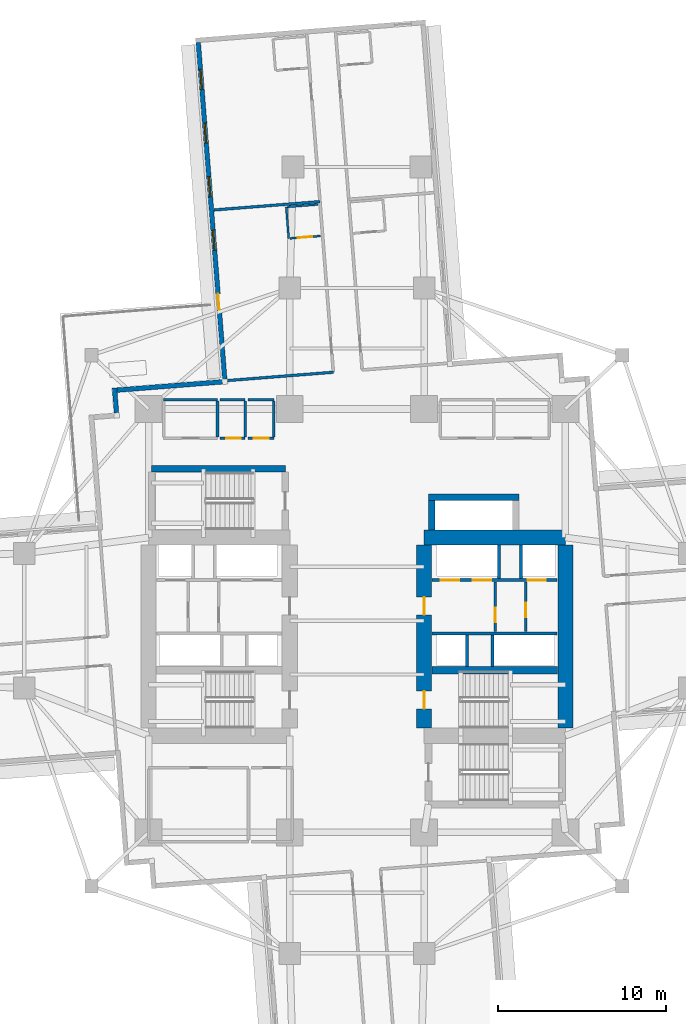
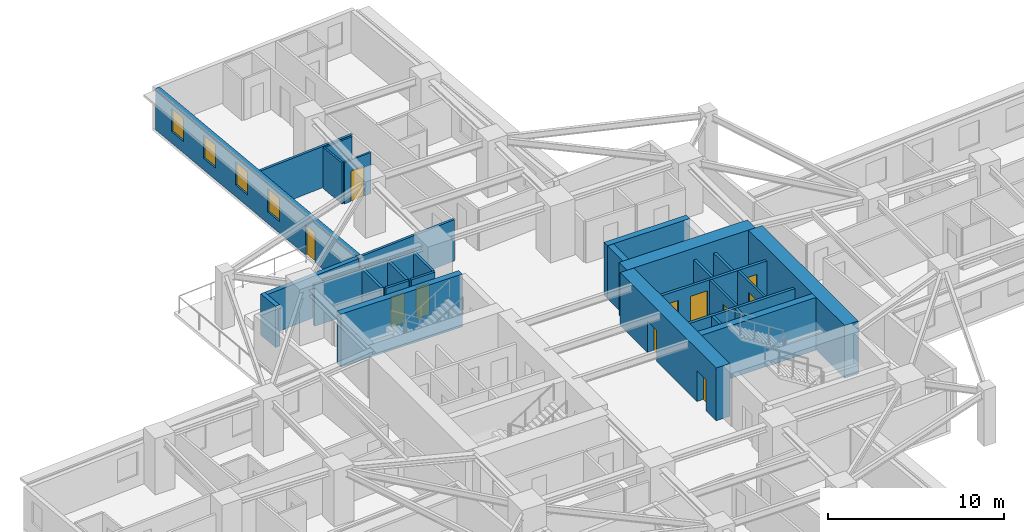
# One storey, part 6 of 13: 31 walls, 11 doors, 4 windows, 15 openings.
"""IFC4 building model written with IfcOpenShell, lengths in metres."""

from ifc_helpers import new_model, si_unit, direction, frame, frame_2d, origin, place, context, subcontext, project, spatial, rectangle, extrude, material, layer, layer_set, type_object, element, fill, save


model = new_model("IFC4")

# Units and contexts
model_context = context("Model", 3, precision=1e-05, world=origin(), true_north=direction((0.0, 1.0)))
body_context = subcontext(model_context, "Body", "Model", "MODEL_VIEW")
ifc_project = project(units=[si_unit("LENGTHUNIT", "METRE"), si_unit("AREAUNIT", "SQUARE_METRE"), si_unit("VOLUMEUNIT", "CUBIC_METRE"), si_unit("PLANEANGLEUNIT", "RADIAN"), si_unit("MASSUNIT", "GRAM", prefix="KILO")], contexts=[model_context])

# Site, building, storey
site_placement = place(None, origin())
site = spatial("IfcSite", under=ifc_project, at=site_placement, CompositionType="ELEMENT")
building_placement = place(site_placement, origin())
building = spatial("IfcBuilding", under=site, at=building_placement, Name="Qingluan Cross Belvedere", CompositionType="ELEMENT")
storey_placement = place(building_placement, frame((0.0, 0.0, 43.199951171875)))
storey = spatial("IfcBuildingStorey", under=building, at=storey_placement, Name="L11", CompositionType="ELEMENT", Elevation=43.199951171875)

# Walls
ifc_material_1 = material(Name="Concrete C50", Category="concrete")
ifc_layer_1 = layer(ifc_material_1, 0.449951171875, Name="CoreShearWall_450")
ifc_layer_set_1 = layer_set([ifc_layer_1], Name="Concrete C50")
wall_type_1 = type_object("IfcWallType", Name="CoreShearWall_450", PredefinedType="SHEAR", material=ifc_layer_set_1)
wall_1_placement = place(storey_placement, frame((4.455078125, -2.9599609375, 0.0), z_axis=(0.0, 0.0, 1.0), x_axis=(1.0, 0.0, 0.0)))
element("IfcWall", 1, at=wall_1_placement, inside=storey, type_object=wall_type_1, Name="Split core E shear wall L11-M", PredefinedType="SHEAR", context=body_context, shape_type="SweptSolid", body=[
    extrude(rectangle(XDim=7.489990234375, YDim=0.449951171875, at=frame_2d((3.7451171875, 0.0))), origin(), (0.0, 0.0, 1.0), 3.650146484375),
])
wall_2_placement = place(storey_placement, frame((-12.219970703125, 9.0400390625, 0.0), z_axis=(0.0, 0.0, 1.0), x_axis=(1.0, 0.0, 0.0)))
element("IfcWall", 2, at=wall_2_placement, inside=storey, type_object=wall_type_1, Name="Stair ST3 structural wall N L11", PredefinedType="SHEAR", context=body_context, shape_type="SweptSolid", body=[
    extrude(rectangle(XDim=7.9599609375, YDim=0.39990234375, at=frame_2d((3.97998046875, 0.0))), origin(), (0.0, 0.0, 1.0), 3.650146484375),
])
wall_3_placement = place(storey_placement, frame((4.449951171875, 5.405029296875, 0.0), z_axis=(0.0, 0.0, 1.0), x_axis=(0.0, 1.0, 0.0)))
element("IfcWall", 3, at=wall_3_placement, inside=storey, type_object=wall_type_1, Name="Express shuttle core wall L11-W", PredefinedType="SHEAR", context=body_context, shape_type="SweptSolid", body=[
    extrude(rectangle(XDim=1.73486328125, YDim=0.39990234375, at=frame_2d((0.867431640625, 0.0))), origin(), (0.0, 0.0, 1.0), 3.650146484375),
])
wall_4_placement = place(storey_placement, frame((4.25, 7.35009765625, 0.0), z_axis=(0.0, 0.0, 1.0), x_axis=(1.0, 0.0, 0.0)))
element("IfcWall", 4, at=wall_4_placement, inside=storey, type_object=wall_type_1, Name="Express shuttle core wall L11-N", PredefinedType="SHEAR", context=body_context, shape_type="SweptSolid", body=[
    extrude(rectangle(XDim=5.39990234375, YDim=0.39990234375, at=frame_2d((2.699951171875, 0.0))), origin(), (0.0, 0.0, 1.0), 3.650146484375),
])
ifc_material_2 = material(Name="Concrete C70", Category="concrete")
ifc_layer_2 = layer(ifc_material_2, 0.89990234375, Name="CoreShearWall_900")
ifc_layer_set_2 = layer_set([ifc_layer_2], Name="Concrete C70")
wall_type_2 = type_object("IfcWallType", Name="CoreShearWall_900", PredefinedType="SHEAR", material=ifc_layer_set_2)
wall_5_placement = place(storey_placement, frame((4.0, 4.949951171875, 0.0), z_axis=(0.0, 0.0, 1.0), x_axis=(1.0, 0.0, 0.0)))
element("IfcWall", 5, at=wall_5_placement, inside=storey, type_object=wall_type_2, Name="Split core E shear wall L11-N", PredefinedType="SHEAR", context=body_context, shape_type="SweptSolid", body=[
    extrude(rectangle(XDim=8.39990234375, YDim=0.89990234375, at=frame_2d((4.199951171875, 0.0))), origin(), (0.0, 0.0, 1.0), 3.650146484375),
])

# Wall, openings, doors
wall_6_placement = place(storey_placement, frame((4.0, -6.39501953125, 0.0), z_axis=(0.0, 0.0, 1.0), x_axis=(0.0, 1.0, 0.0)))
wall_6 = element("IfcWall", 6, at=wall_6_placement, inside=storey, type_object=wall_type_2, Name="Split core E shear wall L11-W", PredefinedType="SHEAR", context=body_context, shape_type="SweptSolid", body=[
    extrude(rectangle(XDim=10.89013671875, YDim=0.89990234375, at=frame_2d((5.445068359375, 0.0))), origin(), (0.0, 0.0, 1.0), 3.650146484375),
])
opening_1_placement = place(wall_6_placement, frame((1.14501953125, 0.0, 0.0)))
opening_1 = element("IfcOpeningElement", 7, at=opening_1_placement, cuts=wall_6, Name="Opening FD-B11", PredefinedType="OPENING", context=body_context, shape_type="SweptSolid", body=[
    extrude(rectangle(XDim=1.050048828125, YDim=2.14990234375, at=frame_2d((0.52490234375, 1.074951171875))), frame((0.0, 0.4599609375, 0.0), z_axis=(0.0, -1.0, 0.0), x_axis=(1.0, 0.0, 0.0)), (0.0, 0.0, 1.0), 0.919921875),
])
opening_2_placement = place(wall_6_placement, frame((6.7451171875, 0.0, 0.0)))
opening_2 = element("IfcOpeningElement", 8, at=opening_2_placement, cuts=wall_6, Name="Opening FD-B11", PredefinedType="OPENING", context=body_context, shape_type="SweptSolid", body=[
    extrude(rectangle(XDim=1.050048828125, YDim=2.14990234375, at=frame_2d((0.52490234375, 1.074951171875))), frame((0.0, 0.4599609375, 0.0), z_axis=(0.0, -1.0, 0.0), x_axis=(1.0, 0.0, 0.0)), (0.0, 0.0, 1.0), 0.919921875),
])
ifc_material_3 = material(Name="Steel Class B smoke-seal fire door", Category="steel")
door_type_1 = type_object("IfcDoorType", Name="StairLobbyFireDoor_FDB", OperationType="NOTDEFINED", PredefinedType="DOOR", material=ifc_material_3)
door_1_placement = place(opening_1_placement, origin())
door_1 = element("IfcDoor", 9, at=door_1_placement, inside=storey, type_object=door_type_1, Name="Smoke-proof stair ST2 fire door L11", OperationType="SINGLE_SWING_LEFT", OverallHeight=2.14990234375, OverallWidth=1.050048828125, PredefinedType="DOOR", context=body_context, shape_type="SweptSolid", body=[
    extrude(rectangle(XDim=1.050048828125, YDim=2.14990234375, at=frame_2d((0.52490234375, 1.074951171875))), frame((0.0, 0.02490234375, 0.0), z_axis=(0.0, -1.0, 0.0), x_axis=(1.0, 0.0, 0.0)), (0.0, 0.0, 1.0), 0.050048828125),
])
fill(opening_1, door_1)
door_2_placement = place(opening_2_placement, origin())
door_2 = element("IfcDoor", 10, at=door_2_placement, inside=storey, type_object=door_type_1, Name="Firefighting lobby East fire door L11", OperationType="SINGLE_SWING_LEFT", OverallHeight=2.14990234375, OverallWidth=1.050048828125, PredefinedType="DOOR", context=body_context, shape_type="SweptSolid", body=[
    extrude(rectangle(XDim=1.050048828125, YDim=2.14990234375, at=frame_2d((0.52490234375, 1.074951171875))), frame((0.0, 0.02490234375, 0.0), z_axis=(0.0, -1.0, 0.0), x_axis=(1.0, 0.0, 0.0)), (0.0, 0.0, 1.0), 0.050048828125),
])
fill(opening_2, door_2)

# Wall
wall_7_placement = place(storey_placement, frame((12.39990234375, -6.39501953125, 0.0), z_axis=(0.0, 0.0, 1.0), x_axis=(0.0, 1.0, 0.0)))
element("IfcWall", 11, at=wall_7_placement, inside=storey, type_object=wall_type_2, Name="Split core E shear wall L11-E", PredefinedType="SHEAR", context=body_context, shape_type="SweptSolid", body=[
    extrude(rectangle(XDim=10.89013671875, YDim=0.89990234375, at=frame_2d((5.445068359375, 0.0))), origin(), (0.0, 0.0, 1.0), 3.650146484375),
])

# Wall, opening, door
ifc_material_4 = material(Name="Gypsum plasterboard on steel stud acoustic partition", Category="steel")
ifc_layer_3 = layer(ifc_material_4, 0.159912109375, Name="CorridorPartition_160")
ifc_layer_set_3 = layer_set([ifc_layer_3], Name="Gypsum plasterboard on steel stud acoustic partition")
wall_type_3 = type_object("IfcWallType", Name="CorridorPartition_160", PredefinedType="PARTITIONING", material=ifc_layer_set_3)
wall_8_placement = place(storey_placement, frame((10.050048828125, -0.652099609375, 0.0), z_axis=(0.0, 0.0, 1.0), x_axis=(0.0, 1.0, 0.0)))
wall_8 = element("IfcWall", 12, at=wall_8_placement, inside=storey, type_object=wall_type_3, Name="Partition L11:ev", PredefinedType="PARTITIONING", context=body_context, shape_type="SweptSolid", body=[
    extrude(rectangle(XDim=2.962158203125, YDim=0.139892578125, at=frame_2d((1.48095703125, 0.0))), origin(), (0.0, 0.0, 1.0), 2.85009765625),
])
opening_3_placement = place(wall_8_placement, frame((0.85009765625, 0.0, 0.0)))
opening_3 = element("IfcOpeningElement", 13, at=opening_3_placement, cuts=wall_8, Name="Opening FD-B10", PredefinedType="OPENING", context=body_context, shape_type="SweptSolid", body=[
    extrude(rectangle(XDim=0.8798828125, YDim=2.10009765625, at=frame_2d((0.43994140625, 1.050048828125))), frame((0.0, 0.079833984375, 0.0), z_axis=(0.0, -1.0, 0.0), x_axis=(1.0, 0.0, 0.0)), (0.0, 0.0, 1.0), 0.159912109375),
])
ifc_material_5 = material(Name="Steel Class B service fire door", Category="steel")
door_type_2 = type_object("IfcDoorType", Name="RiserServiceFireDoor_FDB", OperationType="NOTDEFINED", PredefinedType="DOOR", material=ifc_material_5)
door_3_placement = place(opening_3_placement, origin())
door_3 = element("IfcDoor", 14, at=door_3_placement, inside=storey, type_object=door_type_2, Name="Service closet inner door L11", OperationType="SINGLE_SWING_LEFT", OverallHeight=2.10009765625, OverallWidth=0.8798828125, PredefinedType="DOOR", context=body_context, shape_type="SweptSolid", body=[
    extrude(rectangle(XDim=0.8798828125, YDim=2.10009765625, at=frame_2d((0.43994140625, 1.050048828125))), frame((0.0, 0.02490234375, 0.0), z_axis=(0.0, -1.0, 0.0), x_axis=(1.0, 0.0, 0.0)), (0.0, 0.0, 1.0), 0.050048828125),
])
fill(opening_3, door_3)

# Walls
wall_9_placement = place(storey_placement, frame((-11.5, 13.14990234375, 0.0), z_axis=(0.0, 0.0, 1.0), x_axis=(1.0, 0.0, 0.0)))
element("IfcWall", 15, at=wall_9_placement, inside=storey, type_object=wall_type_3, Name="Partition L11:q_nw_occ:N", PredefinedType="PARTITIONING", context=body_context, shape_type="SweptSolid", body=[
    extrude(rectangle(XDim=3.199951171875, YDim=0.159912109375, at=frame_2d((1.60009765625, 0.0))), origin(), (0.0, 0.0, 1.0), 2.85009765625),
])
wall_10_placement = place(storey_placement, frame((-8.300048828125, 10.93505859375, 0.0), z_axis=(0.0, 0.0, 1.0), x_axis=(0.0, 1.0, 0.0)))
element("IfcWall", 16, at=wall_10_placement, inside=storey, type_object=wall_type_3, Name="Partition L11:q_nw_occ:E", PredefinedType="PARTITIONING", context=body_context, shape_type="SweptSolid", body=[
    extrude(rectangle(XDim=2.1298828125, YDim=0.159912109375, at=frame_2d((1.06494140625, 0.0))), origin(), (0.0, 0.0, 1.0), 2.85009765625),
])

# Wall, opening, door
wall_11_placement = place(storey_placement, frame((-8.139892578125, 10.85009765625, 0.0), z_axis=(0.0, 0.0, 1.0), x_axis=(1.0, 0.0, 0.0)))
wall_11 = element("IfcWall", 17, at=wall_11_placement, inside=storey, type_object=wall_type_3, Name="Partition L11:hk_linen:S", PredefinedType="PARTITIONING", context=body_context, shape_type="SweptSolid", body=[
    extrude(rectangle(XDim=1.489990234375, YDim=0.159912109375, at=frame_2d((0.7451171875, 0.0))), origin(), (0.0, 0.0, 1.0), 2.85009765625),
])
opening_4_placement = place(wall_11_placement, frame((0.35009765625, 0.0, 0.0)))
opening_4 = element("IfcOpeningElement", 18, at=opening_4_placement, cuts=wall_11, Name="Opening FD-B10", PredefinedType="OPENING", context=body_context, shape_type="SweptSolid", body=[
    extrude(rectangle(XDim=0.8798828125, YDim=2.10009765625, at=frame_2d((0.43994140625, 1.050048828125))), frame((0.0, 0.08984375, 0.0), z_axis=(0.0, -1.0, 0.0), x_axis=(1.0, 0.0, 0.0)), (0.0, 0.0, 1.0), 0.179931640625),
])
door_4_placement = place(opening_4_placement, origin())
door_4 = element("IfcDoor", 19, at=door_4_placement, inside=storey, type_object=door_type_2, Name="Housekeeping and linen store L11 door", OperationType="SINGLE_SWING_LEFT", OverallHeight=2.10009765625, OverallWidth=0.8798828125, PredefinedType="DOOR", context=body_context, shape_type="SweptSolid", body=[
    extrude(rectangle(XDim=0.8798828125, YDim=2.10009765625, at=frame_2d((0.43994140625, 1.050048828125))), frame((0.0, 0.02490234375, 0.0), z_axis=(0.0, -1.0, 0.0), x_axis=(1.0, 0.0, 0.0)), (0.0, 0.0, 1.0), 0.050048828125),
])
fill(opening_4, door_4)

# Walls
wall_12_placement = place(storey_placement, frame((-8.139892578125, 13.14990234375, 0.0), z_axis=(0.0, 0.0, 1.0), x_axis=(1.0, 0.0, 0.0)))
element("IfcWall", 20, at=wall_12_placement, inside=storey, type_object=wall_type_3, Name="Partition L11:hk_linen:N", PredefinedType="PARTITIONING", context=body_context, shape_type="SweptSolid", body=[
    extrude(rectangle(XDim=1.489990234375, YDim=0.159912109375, at=frame_2d((0.7451171875, 0.0))), origin(), (0.0, 0.0, 1.0), 2.85009765625),
])
wall_13_placement = place(storey_placement, frame((-6.64990234375, 10.93505859375, 0.0), z_axis=(0.0, 0.0, 1.0), x_axis=(0.0, 1.0, 0.0)))
element("IfcWall", 21, at=wall_13_placement, inside=storey, type_object=wall_type_3, Name="Partition L11:hk_linen:E", PredefinedType="PARTITIONING", context=body_context, shape_type="SweptSolid", body=[
    extrude(rectangle(XDim=2.1298828125, YDim=0.159912109375, at=frame_2d((1.06494140625, 0.0))), origin(), (0.0, 0.0, 1.0), 2.85009765625),
])

# Wall, opening, door
wall_14_placement = place(storey_placement, frame((-6.489990234375, 10.85009765625, 0.0), z_axis=(0.0, 0.0, 1.0), x_axis=(1.0, 0.0, 0.0)))
wall_14 = element("IfcWall", 22, at=wall_14_placement, inside=storey, type_object=wall_type_3, Name="Partition L11:floor_acc_wc:S", PredefinedType="PARTITIONING", context=body_context, shape_type="SweptSolid", body=[
    extrude(rectangle(XDim=1.5400390625, YDim=0.159912109375, at=frame_2d((0.77001953125, 0.0))), origin(), (0.0, 0.0, 1.0), 2.85009765625),
])
opening_5_placement = place(wall_14_placement, frame((0.35009765625, 0.0, 0.0)))
opening_5 = element("IfcOpeningElement", 23, at=opening_5_placement, cuts=wall_14, Name="Opening BD-08", PredefinedType="OPENING", context=body_context, shape_type="SweptSolid", body=[
    extrude(rectangle(XDim=0.8798828125, YDim=2.14990234375, at=frame_2d((0.43994140625, 1.074951171875))), frame((0.0, 0.08984375, 0.0), z_axis=(0.0, -1.0, 0.0), x_axis=(1.0, 0.0, 0.0)), (0.0, 0.0, 1.0), 0.179931640625),
])
ifc_material_6 = material(Name="Moisture-sealed timber accessible WC door", Category="wood")
door_type_3 = type_object("IfcDoorType", Name="AccessibleWCDoor_880", OperationType="NOTDEFINED", PredefinedType="DOOR", material=ifc_material_6)
door_5_placement = place(opening_5_placement, origin())
door_5 = element("IfcDoor", 24, at=door_5_placement, inside=storey, type_object=door_type_3, Name="Accessible guest washroom L11 door", OperationType="SINGLE_SWING_RIGHT", OverallHeight=2.14990234375, OverallWidth=0.8798828125, PredefinedType="DOOR", context=body_context, shape_type="SweptSolid", body=[
    extrude(rectangle(XDim=0.8798828125, YDim=2.14990234375, at=frame_2d((0.43994140625, 1.074951171875))), frame((0.0, 0.02490234375, 0.0), z_axis=(0.0, -1.0, 0.0), x_axis=(1.0, 0.0, 0.0)), (0.0, 0.0, 1.0), 0.050048828125),
])
fill(opening_5, door_5)

# Walls
wall_15_placement = place(storey_placement, frame((-6.489990234375, 13.14990234375, 0.0), z_axis=(0.0, 0.0, 1.0), x_axis=(1.0, 0.0, 0.0)))
element("IfcWall", 25, at=wall_15_placement, inside=storey, type_object=wall_type_3, Name="Partition L11:floor_acc_wc:N", PredefinedType="PARTITIONING", context=body_context, shape_type="SweptSolid", body=[
    extrude(rectangle(XDim=1.5400390625, YDim=0.159912109375, at=frame_2d((0.77001953125, 0.0))), origin(), (0.0, 0.0, 1.0), 2.85009765625),
])
wall_16_placement = place(storey_placement, frame((-4.949951171875, 10.93505859375, 0.0), z_axis=(0.0, 0.0, 1.0), x_axis=(0.0, 1.0, 0.0)))
element("IfcWall", 26, at=wall_16_placement, inside=storey, type_object=wall_type_3, Name="Partition L11:floor_acc_wc:E", PredefinedType="PARTITIONING", context=body_context, shape_type="SweptSolid", body=[
    extrude(rectangle(XDim=2.1298828125, YDim=0.159912109375, at=frame_2d((1.06494140625, 0.0))), origin(), (0.0, 0.0, 1.0), 2.85009765625),
])
wall_17_placement = place(storey_placement, frame((-1.404296875, 14.785400390625, 0.0), z_axis=(0.0, 0.0, 1.0), x_axis=(-0.996918883175, -0.07843940572, 0.0)))
element("IfcWall", 27, at=wall_17_placement, inside=storey, type_object=wall_type_3, Name="Partition L11:N:s1", PredefinedType="PARTITIONING", context=body_context, shape_type="SweptSolid", body=[
    extrude(rectangle(XDim=6.480224609375, YDim=0.159912109375, at=frame_2d((3.240234375, 0.0))), origin(), (0.0, 0.0, 1.0), 2.85009765625),
])
wall_18_placement = place(storey_placement, frame((-2.20361328125, 24.93896484375, 0.0), z_axis=(0.0, 0.0, 1.0), x_axis=(-0.996917066323, -0.078462493424, 0.0)))
element("IfcWall", 28, at=wall_18_placement, inside=storey, type_object=wall_type_3, Name="Partition L11:N:d1_0", PredefinedType="PARTITIONING", context=body_context, shape_type="SweptSolid", body=[
    extrude(rectangle(XDim=6.33203125, YDim=0.159912109375, at=frame_2d((3.166015625, 0.0))), origin(), (0.0, 0.0, 1.0), 2.85009765625),
])

# Wall, opening, door
ifc_material_7 = material(Name="Moisture-resistant gypsum board lining")
ifc_layer_4 = layer(ifc_material_7, 0.1201171875, Name="EnsuiteWetPartition_120")
ifc_layer_set_4 = layer_set([ifc_layer_4], Name="Moisture-resistant gypsum board lining")
wall_type_4 = type_object("IfcWallType", Name="EnsuiteWetPartition_120", PredefinedType="PARTITIONING", material=ifc_layer_set_4)
wall_19_placement = place(storey_placement, frame((-3.997314453125, 22.75146484375, 0.0), z_axis=(0.0, 0.0, 1.0), x_axis=(0.996915574626, 0.078481444107, 0.0)))
wall_19 = element("IfcWall", 29, at=wall_19_placement, inside=storey, type_object=wall_type_4, Name="Partition L11:N:bs1_0", PredefinedType="PARTITIONING", context=body_context, shape_type="SweptSolid", body=[
    extrude(rectangle(XDim=1.81982421875, YDim=0.1201171875, at=frame_2d((0.909912109375, 0.0))), origin(), (0.0, 0.0, 1.0), 2.85009765625),
])
opening_6_placement = place(wall_19_placement, frame((0.469970703125, 0.0, 0.0)))
opening_6 = element("IfcOpeningElement", 30, at=opening_6_placement, cuts=wall_19, Name="Opening BD-09", PredefinedType="OPENING", context=body_context, shape_type="SweptSolid", body=[
    extrude(rectangle(XDim=0.8798828125, YDim=2.10009765625, at=frame_2d((0.43994140625, 1.050048828125))), frame((0.0, 0.070068359375, 0.0), z_axis=(0.0, -1.0, 0.0), x_axis=(1.0, 0.0, 0.0)), (0.0, 0.0, 1.0), 0.14013671875),
])
ifc_material_8 = material(Name="Moisture-sealed timber en-suite door", Category="wood")
door_type_4 = type_object("IfcDoorType", Name="BathroomDoor_880", OperationType="NOTDEFINED", PredefinedType="DOOR", material=ifc_material_8)
door_6_placement = place(opening_6_placement, origin())
door_6 = element("IfcDoor", 31, at=door_6_placement, inside=storey, type_object=door_type_4, Name="Bathroom door 1111", OperationType="SINGLE_SWING_RIGHT", OverallHeight=2.10009765625, OverallWidth=0.8798828125, PredefinedType="DOOR", context=body_context, shape_type="SweptSolid", body=[
    extrude(rectangle(XDim=0.8798828125, YDim=2.10009765625, at=frame_2d((0.43994140625, 1.050048828125))), frame((0.0, 0.02490234375, 0.0), z_axis=(0.0, -1.0, 0.0), x_axis=(1.0, 0.0, 0.0)), (0.0, 0.0, 1.0), 0.050048828125),
])
fill(opening_6, door_6)

# Walls
wall_20_placement = place(storey_placement, frame((-4.14501953125, 24.625732421875, 0.0), z_axis=(0.0, 0.0, 1.0), x_axis=(0.996916400774, 0.0784709492, 0.0)))
element("IfcWall", 32, at=wall_20_placement, inside=storey, type_object=wall_type_4, Name="Partition L11:N:bw1_0", PredefinedType="PARTITIONING", context=body_context, shape_type="SweptSolid", body=[
    extrude(rectangle(XDim=1.820068359375, YDim=0.1201171875, at=frame_2d((0.91015625, 0.0))), origin(), (0.0, 0.0, 1.0), 2.85009765625),
])
wall_21_placement = place(storey_placement, frame((-4.062255859375, 22.746337890625, 0.0), z_axis=(0.0, 0.0, 1.0), x_axis=(-0.07843418698, 0.996919293781, 0.0)))
element("IfcWall", 33, at=wall_21_placement, inside=storey, type_object=wall_type_4, Name="Partition L11:N:bc1_0", PredefinedType="PARTITIONING", context=body_context, shape_type="SweptSolid", body=[
    extrude(rectangle(XDim=1.880126953125, YDim=0.1201171875, at=frame_2d((0.93994140625, 0.0))), origin(), (0.0, 0.0, 1.0), 2.85009765625),
])

# Wall, openings, windows, door
ifc_material_9 = material(Name="Precast concrete C45", Category="concrete")
ifc_layer_5 = layer(ifc_material_9, 0.280029296875, Name="PrecastFacadeWall_280")
ifc_layer_set_5 = layer_set([ifc_layer_5], Name="Precast concrete C45")
wall_type_5 = type_object("IfcWallType", Name="PrecastFacadeWall_280", PredefinedType="STANDARD", material=ifc_layer_set_5)
wall_22_placement = place(storey_placement, frame((-9.448486328125, 34.40478515625, 0.0), z_axis=(0.0, 0.0, 1.0), x_axis=(0.078452802979, -0.996917828963, 0.0)))
wall_22 = element("IfcWall", 34, at=wall_22_placement, inside=storey, type_object=wall_type_5, Name="Facade wall L11-NB", PredefinedType="STANDARD", context=body_context, shape_type="SweptSolid", body=[
    extrude(rectangle(XDim=20.10009765625, YDim=0.280029296875, at=frame_2d((10.050048828125, 0.0))), origin(), (0.0, 0.0, 1.0), 2.860107421875),
])
opening_7_placement = place(wall_22_placement, frame((1.60009765625, 0.0, 0.800048828125)))
opening_7 = element("IfcOpeningElement", 35, at=opening_7_placement, cuts=wall_22, Name="Opening W-02", PredefinedType="OPENING", context=body_context, shape_type="SweptSolid", body=[
    extrude(rectangle(XDim=1.199951171875, YDim=1.60009765625, at=frame_2d((0.60009765625, 0.800048828125))), frame((0.0, 0.14990234375, 0.0), z_axis=(0.0, -1.0, 0.0), x_axis=(1.0, 0.0, 0.0)), (0.0, 0.0, 1.0), 0.300048828125),
])
opening_8_placement = place(wall_22_placement, frame((4.800048828125, 0.0, 0.800048828125)))
opening_8 = element("IfcOpeningElement", 36, at=opening_8_placement, cuts=wall_22, Name="Opening W-02", PredefinedType="OPENING", context=body_context, shape_type="SweptSolid", body=[
    extrude(rectangle(XDim=1.199951171875, YDim=1.60009765625, at=frame_2d((0.60009765625, 0.800048828125))), frame((0.0, 0.14990234375, 0.0), z_axis=(0.0, -1.0, 0.0), x_axis=(1.0, 0.0, 0.0)), (0.0, 0.0, 1.0), 0.300048828125),
])
opening_9_placement = place(wall_22_placement, frame((8.0, 0.0, 0.800048828125)))
opening_9 = element("IfcOpeningElement", 37, at=opening_9_placement, cuts=wall_22, Name="Opening W-02", PredefinedType="OPENING", context=body_context, shape_type="SweptSolid", body=[
    extrude(rectangle(XDim=1.199951171875, YDim=1.60009765625, at=frame_2d((0.60009765625, 0.800048828125))), frame((0.0, 0.14990234375, 0.0), z_axis=(0.0, -1.0, 0.0), x_axis=(1.0, 0.0, 0.0)), (0.0, 0.0, 1.0), 0.300048828125),
])
opening_10_placement = place(wall_22_placement, frame((11.199951171875, 0.0, 0.800048828125)))
opening_10 = element("IfcOpeningElement", 38, at=opening_10_placement, cuts=wall_22, Name="Opening W-02", PredefinedType="OPENING", context=body_context, shape_type="SweptSolid", body=[
    extrude(rectangle(XDim=1.199951171875, YDim=1.60009765625, at=frame_2d((0.60009765625, 0.800048828125))), frame((0.0, 0.14990234375, 0.0), z_axis=(0.0, -1.0, 0.0), x_axis=(1.0, 0.0, 0.0)), (0.0, 0.0, 1.0), 0.300048828125),
])
opening_11_placement = place(wall_22_placement, frame((15.0, 0.0, 0.0)))
opening_11 = element("IfcOpeningElement", 39, at=opening_11_placement, cuts=wall_22, Name="Opening WD-10", PredefinedType="OPENING", context=body_context, shape_type="SweptSolid", body=[
    extrude(rectangle(XDim=0.9599609375, YDim=2.10009765625, at=frame_2d((0.47998046875, 1.050048828125))), frame((0.0, 0.14990234375, 0.0), z_axis=(0.0, -1.0, 0.0), x_axis=(1.0, 0.0, 0.0)), (0.0, 0.0, 1.0), 0.300048828125),
])
ifc_material_10 = material(Name="Thermally broken triple Low-E glass in aluminium frame", Category="aluminium")
window_type = type_object("IfcWindowType", Name="TriRibbonWin_1200x1600", PartitioningType="SINGLE_PANEL", PredefinedType="WINDOW", material=ifc_material_10)
window_1_placement = place(opening_7_placement, origin())
window_1 = element("IfcWindow", 40, at=window_1_placement, inside=storey, type_object=window_type, Name="Ribbon window L11-NB-1", OverallHeight=1.60009765625, OverallWidth=1.199951171875, PartitioningType="SINGLE_PANEL", PredefinedType="WINDOW", context=body_context, shape_type="SweptSolid", body=[
    extrude(rectangle(XDim=1.199951171875, YDim=1.60009765625, at=frame_2d((0.60009765625, 0.800048828125))), frame((0.0, 0.030029296875, 0.0), z_axis=(0.0, -1.0, 0.0), x_axis=(1.0, 0.0, 0.0)), (0.0, 0.0, 1.0), 0.06005859375),
])
fill(opening_7, window_1)
window_2_placement = place(opening_8_placement, origin())
window_2 = element("IfcWindow", 41, at=window_2_placement, inside=storey, type_object=window_type, Name="Ribbon window L11-NB-2", OverallHeight=1.60009765625, OverallWidth=1.199951171875, PartitioningType="SINGLE_PANEL", PredefinedType="WINDOW", context=body_context, shape_type="SweptSolid", body=[
    extrude(rectangle(XDim=1.199951171875, YDim=1.60009765625, at=frame_2d((0.60009765625, 0.800048828125))), frame((0.0, 0.030029296875, 0.0), z_axis=(0.0, -1.0, 0.0), x_axis=(1.0, 0.0, 0.0)), (0.0, 0.0, 1.0), 0.06005859375),
])
fill(opening_8, window_2)
window_3_placement = place(opening_9_placement, origin())
window_3 = element("IfcWindow", 42, at=window_3_placement, inside=storey, type_object=window_type, Name="Ribbon window L11-NB-3", OverallHeight=1.60009765625, OverallWidth=1.199951171875, PartitioningType="SINGLE_PANEL", PredefinedType="WINDOW", context=body_context, shape_type="SweptSolid", body=[
    extrude(rectangle(XDim=1.199951171875, YDim=1.60009765625, at=frame_2d((0.60009765625, 0.800048828125))), frame((0.0, 0.030029296875, 0.0), z_axis=(0.0, -1.0, 0.0), x_axis=(1.0, 0.0, 0.0)), (0.0, 0.0, 1.0), 0.06005859375),
])
fill(opening_9, window_3)
window_4_placement = place(opening_10_placement, origin())
window_4 = element("IfcWindow", 43, at=window_4_placement, inside=storey, type_object=window_type, Name="Ribbon window L11-NB-4", OverallHeight=1.60009765625, OverallWidth=1.199951171875, PartitioningType="SINGLE_PANEL", PredefinedType="WINDOW", context=body_context, shape_type="SweptSolid", body=[
    extrude(rectangle(XDim=1.199951171875, YDim=1.60009765625, at=frame_2d((0.60009765625, 0.800048828125))), frame((0.0, 0.030029296875, 0.0), z_axis=(0.0, -1.0, 0.0), x_axis=(1.0, 0.0, 0.0)), (0.0, 0.0, 1.0), 0.06005859375),
])
fill(opening_10, window_4)
ifc_material_11 = material(Name="Thermally broken aluminium and Low-E glass", Category="aluminium")
door_type_5 = type_object("IfcDoorType", Name="WinterGardenDoor_096", OperationType="NOTDEFINED", PredefinedType="DOOR", material=ifc_material_11)
door_7_placement = place(opening_11_placement, origin())
door_7 = element("IfcDoor", 44, at=door_7_placement, inside=storey, type_object=door_type_5, Name="Outdoor terrace access door L11-spi", OperationType="SINGLE_SWING_RIGHT", OverallHeight=2.10009765625, OverallWidth=0.9599609375, PredefinedType="DOOR", context=body_context, shape_type="SweptSolid", body=[
    extrude(rectangle(XDim=0.9599609375, YDim=2.10009765625, at=frame_2d((0.47998046875, 1.050048828125))), frame((0.0, 0.02490234375, 0.0), z_axis=(0.0, -1.0, 0.0), x_axis=(1.0, 0.0, 0.0)), (0.0, 0.0, 1.0), 0.050048828125),
])
fill(opening_11, door_7)

# Walls
wall_23_placement = place(storey_placement, frame((-14.3134765625, 12.35498046875, 0.0), z_axis=(0.0, 0.0, 1.0), x_axis=(-0.078451338629, 0.9969179442, 0.0)))
element("IfcWall", 45, at=wall_23_placement, inside=storey, type_object=wall_type_5, Name="Corner wall L11-NW3", PredefinedType="STANDARD", context=body_context, shape_type="SweptSolid", body=[
    extrude(rectangle(XDim=1.5, YDim=0.280029296875, at=frame_2d((0.75, 0.0))), origin(), (0.0, 0.0, 1.0), 2.860107421875),
])
wall_24_placement = place(storey_placement, frame((-14.280517578125, 13.721923828125, 0.0), z_axis=(0.0, 0.0, 1.0), x_axis=(0.99691915642, 0.078435932851, 0.0)))
element("IfcWall", 46, at=wall_24_placement, inside=storey, type_object=wall_type_5, Name="Corner wall L11-NW4", PredefinedType="STANDARD", context=body_context, shape_type="SweptSolid", body=[
    extrude(rectangle(XDim=6.2998046875, YDim=0.280029296875, at=frame_2d((3.14990234375, 0.0))), origin(), (0.0, 0.0, 1.0), 2.860107421875),
])

# Wall, openings, doors
ifc_material_12 = material(Name="Concrete C40", Category="concrete")
ifc_layer_6 = layer(ifc_material_12, 0.219970703125, Name="ShaftEnclosureWall_250")
ifc_layer_set_6 = layer_set([ifc_layer_6], Name="Concrete C40")
wall_type_6 = type_object("IfcWallType", Name="ShaftEnclosureWall_250", PredefinedType="SOLIDWALL", material=ifc_layer_set_6)
wall_25_placement = place(storey_placement, frame((4.47998046875, 2.409912109375, 0.0), z_axis=(0.0, 0.0, 1.0), x_axis=(1.0, 0.0, 0.0)))
wall_25 = element("IfcWall", 47, at=wall_25_placement, inside=storey, type_object=wall_type_6, Name="Core-E north hoistway wall L11", PredefinedType="SOLIDWALL", context=body_context, shape_type="SweptSolid", body=[
    extrude(rectangle(XDim=7.419921875, YDim=0.179931640625, at=frame_2d((3.7099609375, 0.0))), origin(), (0.0, 0.0, 1.0), 2.85009765625),
])
opening_12_placement = place(wall_25_placement, frame((5.669921875, 0.0, 0.0)))
opening_12 = element("IfcOpeningElement", 48, at=opening_12_placement, cuts=wall_25, Name="Opening LD-11", PredefinedType="OPENING", context=body_context, shape_type="SweptSolid", body=[
    extrude(rectangle(XDim=1.10009765625, YDim=2.14990234375, at=frame_2d((0.550048828125, 1.074951171875))), frame((0.0, 0.099853515625, 0.0), z_axis=(0.0, -1.0, 0.0), x_axis=(1.0, 0.0, 0.0)), (0.0, 0.0, 1.0), 0.199951171875),
])
opening_13_placement = place(wall_25_placement, frame((0.52001953125, 0.0, 0.0)))
opening_13 = element("IfcOpeningElement", 49, at=opening_13_placement, cuts=wall_25, Name="Opening LD-11", PredefinedType="OPENING", context=body_context, shape_type="SweptSolid", body=[
    extrude(rectangle(XDim=1.10009765625, YDim=2.14990234375, at=frame_2d((0.550048828125, 1.074951171875))), frame((0.0, 0.099853515625, 0.0), z_axis=(0.0, -1.0, 0.0), x_axis=(1.0, 0.0, 0.0)), (0.0, 0.0, 1.0), 0.199951171875),
])
opening_14_placement = place(wall_25_placement, frame((2.419921875, 0.0, 0.0)))
opening_14 = element("IfcOpeningElement", 50, at=opening_14_placement, cuts=wall_25, Name="Opening LD-11", PredefinedType="OPENING", context=body_context, shape_type="SweptSolid", body=[
    extrude(rectangle(XDim=1.10009765625, YDim=2.14990234375, at=frame_2d((0.550048828125, 1.074951171875))), frame((0.0, 0.099853515625, 0.0), z_axis=(0.0, -1.0, 0.0), x_axis=(1.0, 0.0, 0.0)), (0.0, 0.0, 1.0), 0.199951171875),
])
ifc_material_13 = material(Name="Brushed stainless steel centre-opening lift landing door", Category="steel")
door_type_6 = type_object("IfcDoorType", Name="LiftLandingSlidingDoor_1100", OperationType="DOUBLE_DOOR_SLIDING", PredefinedType="DOOR", material=ifc_material_13)
door_8_placement = place(opening_12_placement, origin())
door_8 = element("IfcDoor", 51, at=door_8_placement, inside=storey, type_object=door_type_6, Name="Lift landing sliding door FL2 L11", OperationType="DOUBLE_DOOR_SLIDING", OverallHeight=2.14990234375, OverallWidth=1.10009765625, PredefinedType="DOOR", context=body_context, shape_type="SweptSolid", body=[
    extrude(rectangle(XDim=1.10009765625, YDim=2.14990234375, at=frame_2d((0.550048828125, 1.074951171875))), frame((0.0, 0.02490234375, 0.0), z_axis=(0.0, -1.0, 0.0), x_axis=(1.0, 0.0, 0.0)), (0.0, 0.0, 1.0), 0.050048828125),
])
fill(opening_12, door_8)
door_9_placement = place(opening_13_placement, origin())
door_9 = element("IfcDoor", 52, at=door_9_placement, inside=storey, type_object=door_type_6, Name="Lift landing sliding door LP3 L11", OperationType="DOUBLE_DOOR_SLIDING", OverallHeight=2.14990234375, OverallWidth=1.10009765625, PredefinedType="DOOR", context=body_context, shape_type="SweptSolid", body=[
    extrude(rectangle(XDim=1.10009765625, YDim=2.14990234375, at=frame_2d((0.550048828125, 1.074951171875))), frame((0.0, 0.02490234375, 0.0), z_axis=(0.0, -1.0, 0.0), x_axis=(1.0, 0.0, 0.0)), (0.0, 0.0, 1.0), 0.050048828125),
])
fill(opening_13, door_9)
door_10_placement = place(opening_14_placement, origin())
door_10 = element("IfcDoor", 53, at=door_10_placement, inside=storey, type_object=door_type_6, Name="Lift landing sliding door LP4 L11", OperationType="DOUBLE_DOOR_SLIDING", OverallHeight=2.14990234375, OverallWidth=1.10009765625, PredefinedType="DOOR", context=body_context, shape_type="SweptSolid", body=[
    extrude(rectangle(XDim=1.10009765625, YDim=2.14990234375, at=frame_2d((0.550048828125, 1.074951171875))), frame((0.0, 0.02490234375, 0.0), z_axis=(0.0, -1.0, 0.0), x_axis=(1.0, 0.0, 0.0)), (0.0, 0.0, 1.0), 0.050048828125),
])
fill(opening_14, door_10)

# Walls
wall_26_placement = place(storey_placement, frame((4.47998046875, -0.75, 0.0), z_axis=(0.0, 0.0, 1.0), x_axis=(1.0, 0.0, 0.0)))
element("IfcWall", 54, at=wall_26_placement, inside=storey, type_object=wall_type_6, Name="Core-E mid hoistway wall L11", PredefinedType="SOLIDWALL", context=body_context, shape_type="SweptSolid", body=[
    extrude(rectangle(XDim=7.419921875, YDim=0.179931640625, at=frame_2d((3.7099609375, 0.0))), origin(), (0.0, 0.0, 1.0), 2.85009765625),
])
for number, where, z_axis, x_axis, name in (
    (55, (8.43994140625, 2.5, 0.0), (0.0, 0.0, 1.0), (0.0, 1.0, 0.0), "Hoistway enclosure divider LP4E L11"),
    (56, (9.760009765625, 2.5, 0.0), (0.0, 0.0, 1.0), (0.0, 1.0, 0.0), "Hoistway enclosure divider FL2W L11"),
):
    element("IfcWall", number, at=place(storey_placement, frame(where, z_axis=z_axis, x_axis=x_axis)), inside=storey, type_object=wall_type_6, Name=name, PredefinedType="SOLIDWALL", context=body_context, shape_type="SweptSolid", body=[
        extrude(rectangle(XDim=1.989990234375, YDim=0.179931640625, at=frame_2d((0.9951171875, 0.0))), origin(), (0.0, 0.0, 1.0), 2.85009765625),
    ])
for number, where, z_axis, x_axis, name in (
    (57, (6.5400390625, -2.72998046875, 0.0), (0.0, 0.0, 1.0), (0.0, 1.0, 0.0), "Hoistway enclosure divider LP7E L11"),
    (58, (8.06005859375, -2.72998046875, 0.0), (0.0, 0.0, 1.0), (0.0, 1.0, 0.0), "Hoistway enclosure divider LP9W L11"),
):
    element("IfcWall", number, at=place(storey_placement, frame(where, z_axis=z_axis, x_axis=x_axis)), inside=storey, type_object=wall_type_6, Name=name, PredefinedType="SOLIDWALL", context=body_context, shape_type="SweptSolid", body=[
        extrude(rectangle(XDim=1.889892578125, YDim=0.179931640625, at=frame_2d((0.94482421875, 0.0))), origin(), (0.0, 0.0, 1.0), 2.85009765625),
    ])

# Wall, opening, door
wall_27_placement = place(storey_placement, frame((8.219970703125, -0.64990234375, 0.0), z_axis=(0.0, 0.0, 1.0), x_axis=(0.0, 1.0, 0.0)))
wall_27 = element("IfcWall", 59, at=wall_27_placement, inside=storey, type_object=wall_type_6, Name="Core-E service corridor wall L11", PredefinedType="SOLIDWALL", context=body_context, shape_type="SweptSolid", body=[
    extrude(rectangle(XDim=2.9599609375, YDim=0.139892578125, at=frame_2d((1.47998046875, 0.0))), origin(), (0.0, 0.0, 1.0), 2.85009765625),
])
opening_15_placement = place(wall_27_placement, frame((0.550048828125, 0.0, 0.0)))
opening_15 = element("IfcOpeningElement", 60, at=opening_15_placement, cuts=wall_27, Name="Opening FD-B10", PredefinedType="OPENING", context=body_context, shape_type="SweptSolid", body=[
    extrude(rectangle(XDim=0.8798828125, YDim=2.10009765625, at=frame_2d((0.43994140625, 1.050048828125))), frame((0.0, 0.079833984375, 0.0), z_axis=(0.0, -1.0, 0.0), x_axis=(1.0, 0.0, 0.0)), (0.0, 0.0, 1.0), 0.159912109375),
])
door_11_placement = place(opening_15_placement, origin())
door_11 = element("IfcDoor", 61, at=door_11_placement, inside=storey, type_object=door_type_2, Name="Core-E service room door L11", OperationType="SINGLE_SWING_LEFT", OverallHeight=2.10009765625, OverallWidth=0.8798828125, PredefinedType="DOOR", context=body_context, shape_type="SweptSolid", body=[
    extrude(rectangle(XDim=0.8798828125, YDim=2.10009765625, at=frame_2d((0.43994140625, 1.050048828125))), frame((0.0, 0.02490234375, 0.0), z_axis=(0.0, -1.0, 0.0), x_axis=(1.0, 0.0, 0.0)), (0.0, 0.0, 1.0), 0.050048828125),
])
fill(opening_15, door_11)

save(model, "model.ifc")
